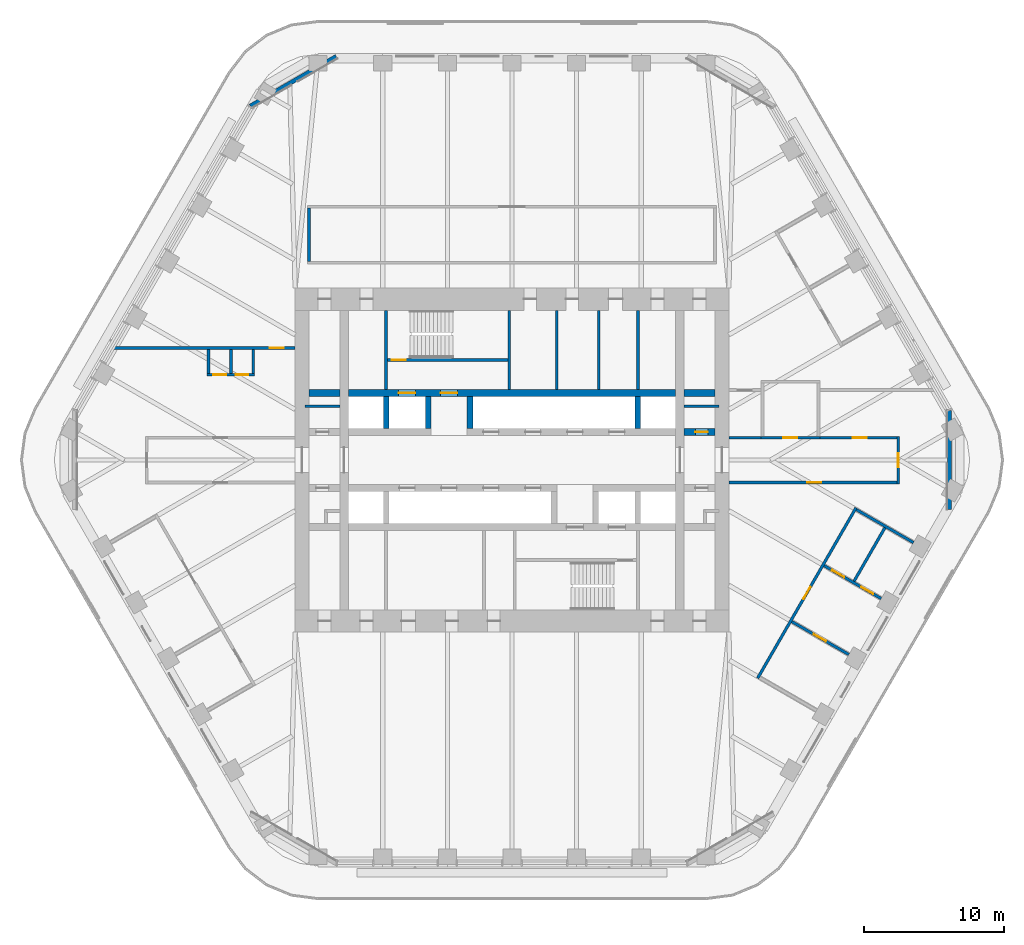
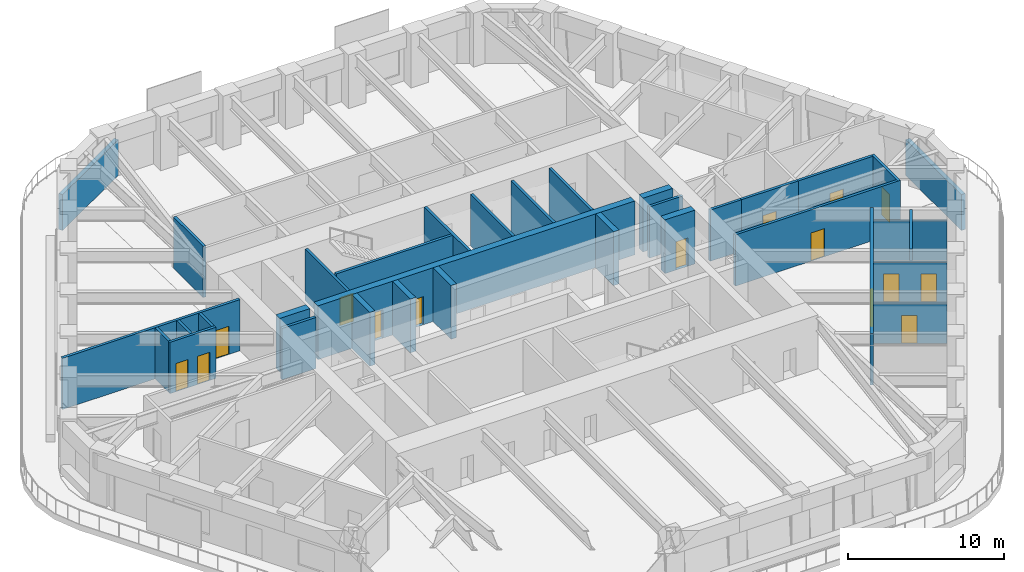
# One storey, part 16 of 20: 34 walls, 15 doors, 15 openings.
"""IFC4 building model written with IfcOpenShell, lengths in metres."""

from ifc_helpers import new_model, si_unit, direction, frame, frame_2d, origin, place, context, subcontext, project, spatial, rectangle, extrude, material, layer, layer_set, type_object, element, fill, save


model = new_model("IFC4")

# Units and contexts
model_context = context("Model", 3, precision=1e-05, world=origin(), true_north=direction((0.0, 1.0)))
body_context = subcontext(model_context, "Body", "Model", "MODEL_VIEW")
ifc_project = project(units=[si_unit("LENGTHUNIT", "METRE"), si_unit("AREAUNIT", "SQUARE_METRE"), si_unit("VOLUMEUNIT", "CUBIC_METRE"), si_unit("PLANEANGLEUNIT", "RADIAN"), si_unit("MASSUNIT", "GRAM", prefix="KILO")], contexts=[model_context])

# Site, building, storey
site_placement = place(None, origin())
site = spatial("IfcSite", under=ifc_project, at=site_placement, CompositionType="ELEMENT")
building_placement = place(site_placement, origin())
building = spatial("IfcBuilding", under=site, at=building_placement, Name="Tarfa Lantern Tower", CompositionType="ELEMENT")
storey_placement = place(building_placement, frame((0.0, 0.0, 253.300048828125)))
storey = spatial("IfcBuildingStorey", under=building, at=storey_placement, Name="L57", CompositionType="ELEMENT", Elevation=253.300048828125)

# Walls
ifc_material_1 = material(Name="Limestone cladding on blockwork", Category="masonry")
ifc_layer_1 = layer(ifc_material_1, 0.300048828125)
ifc_layer_set_1 = layer_set([ifc_layer_1], Name="EW1 STONE-CLAD WALL 300")
wall_type_1 = type_object("IfcWallType", Name="EW1 STONE-CLAD WALL 300", PredefinedType="SOLIDWALL", material=ifc_layer_set_1)
wall_1_placement = place(storey_placement, frame((-12.556396484375, 28.85009765625, 0.0), z_axis=(0.0, 0.0, 1.0), x_axis=(-0.866010973379, -0.500024993363, 0.0)))
element("IfcWall", 1, at=wall_1_placement, inside=storey, type_object=wall_type_1, Name="Garden wall N-NW", PredefinedType="SOLIDWALL", context=body_context, shape_type="SweptSolid", body=[
    extrude(rectangle(XDim=7.101806640625, YDim=0.300048828125, at=frame_2d((3.55078125, 0.0))), origin(), (0.0, 0.0, 1.0), 2.800048828125),
])
wall_2_placement = place(storey_placement, frame((31.262939453125, -3.55078125, 0.0), z_axis=(0.0, 0.0, 1.0), x_axis=(0.0, 1.0, 0.0)))
element("IfcWall", 2, at=wall_2_placement, inside=storey, type_object=wall_type_1, Name="Garden wall SE-NE", PredefinedType="SOLIDWALL", context=body_context, shape_type="SweptSolid", body=[
    extrude(rectangle(XDim=7.1015625, YDim=0.300048828125, at=frame_2d((3.55078125, 0.0))), origin(), (0.0, 0.0, 1.0), 2.800048828125),
])
ifc_material_2 = material(Name="Concrete blockwork", Category="masonry")
ifc_layer_2 = layer(ifc_material_2, 0.199951171875)
ifc_layer_set_2 = layer_set([ifc_layer_2], Name="IW1 BLOCKWORK PARTITION 200 EI 120")
wall_type_2 = type_object("IfcWallType", Name="IW1 BLOCKWORK PARTITION 200 EI 120", PredefinedType="PARTITIONING", material=ifc_layer_set_2)
for number, where, z_axis, x_axis, name in (
    (3, (-9.0, 5.050048828125, 0.0), (0.0, 0.0, 1.0), (0.0, 1.0, 0.0), "Core partition"),
    (4, (9.0, 5.050048828125, 0.0), (0.0, 0.0, 1.0), (0.0, 1.0, 0.0), "Core partition"),
    (5, (3.199951171875, 5.050048828125, 0.0), (0.0, 0.0, 1.0), (0.0, 1.0, 0.0), "Core partition"),
    (6, (6.199951171875, 5.050048828125, 0.0), (0.0, 0.0, 1.0), (0.0, 1.0, 0.0), "Core partition"),
):
    element("IfcWall", number, at=place(storey_placement, frame(where, z_axis=z_axis, x_axis=x_axis)), inside=storey, type_object=wall_type_2, Name=name, PredefinedType="PARTITIONING", context=body_context, shape_type="SweptSolid", body=[
        extrude(rectangle(XDim=5.64990234375, YDim=0.199951171875, at=frame_2d((2.824951171875, 0.0))), origin(), (0.0, 0.0, 1.0), 4.0),
    ])
for number, where, z_axis, x_axis, name in (
    (7, (-14.800048828125, 3.85009765625, 0.0), (0.0, 0.0, 1.0), (1.0, 0.0, 0.0), "Core partition"),
    (8, (12.300048828125, 3.85009765625, 0.0), (0.0, 0.0, 1.0), (1.0, 0.0, 0.0), "Core partition"),
):
    element("IfcWall", number, at=place(storey_placement, frame(where, z_axis=z_axis, x_axis=x_axis)), inside=storey, type_object=wall_type_2, Name=name, PredefinedType="PARTITIONING", context=body_context, shape_type="SweptSolid", body=[
        extrude(rectangle(XDim=2.5, YDim=0.199951171875, at=frame_2d((1.25, 0.0))), origin(), (0.0, 0.0, 1.0), 4.0),
    ])
ifc_material_3 = material(Name="Gypsum board on steel studs", Category="steel")
ifc_layer_3 = layer(ifc_material_3, 0.2099609375)
ifc_layer_set_3 = layer_set([ifc_layer_3], Name="IW2 ACOUSTIC PARTITION 200")
wall_type_3 = type_object("IfcWallType", Name="IW2 ACOUSTIC PARTITION 200", PredefinedType="PARTITIONING", material=ifc_layer_set_3)
wall_3_placement = place(storey_placement, frame((-14.5, 14.199951171875, 0.0), z_axis=(0.0, 0.0, 1.0), x_axis=(0.0, 1.0, 0.0)))
element("IfcWall", 9, at=wall_3_placement, inside=storey, type_object=wall_type_3, Name="Partition", PredefinedType="PARTITIONING", context=body_context, shape_type="SweptSolid", body=[
    extrude(rectangle(XDim=3.800048828125, YDim=0.199951171875, at=frame_2d((1.89990234375, 0.0))), origin(), (0.0, 0.0, 1.0), 4.0),
])

# Wall, opening, door
wall_4_placement = place(storey_placement, frame((17.55908203125, -15.586669921875, 0.0), z_axis=(0.0, 0.0, 1.0), x_axis=(0.500002095642, 0.866024193862, 0.0)))
wall_4 = element("IfcWall", 10, at=wall_4_placement, inside=storey, type_object=wall_type_3, Name="Partition", PredefinedType="PARTITIONING", context=body_context, shape_type="SweptSolid", body=[
    extrude(rectangle(XDim=14.056640625, YDim=0.199951171875, at=frame_2d((7.0283203125, 0.0))), origin(), (0.0, 0.0, 1.0), 4.0),
])
opening_1_placement = place(wall_4_placement, frame((6.5283203125, 0.0, 0.0)))
opening_1 = element("IfcOpeningElement", 11, at=opening_1_placement, cuts=wall_4, Name="Opening D31", PredefinedType="OPENING", context=body_context, shape_type="SweptSolid", body=[
    extrude(rectangle(XDim=1.0, YDim=2.199951171875, at=frame_2d((0.5, 1.10009765625))), frame((0.0, 0.10986328125, 0.0), z_axis=(0.0, -1.0, 0.0), x_axis=(1.0, 0.0, 0.0)), (0.0, 0.0, 1.0), 0.219970703125),
])
ifc_material_4 = material(Name="Timber door", Category="wood")
door_type_1 = type_object("IfcDoorType", Name="DR1 ROOM DOOR 1000x2200", OperationType="SINGLE_SWING_LEFT", PredefinedType="DOOR", material=ifc_material_4)
door_1_placement = place(opening_1_placement, frame((1.0, 0.0, 0.0), z_axis=(0.0, 0.0, 1.0), x_axis=(-1.0, 0.0, 0.0)))
door_1 = element("IfcDoor", 12, at=door_1_placement, inside=storey, type_object=door_type_1, Name="Secretariat reception door", OperationType="SINGLE_SWING_RIGHT", OverallHeight=2.199951171875, OverallWidth=1.0, PredefinedType="DOOR", context=body_context, shape_type="SweptSolid", body=[
    extrude(rectangle(XDim=1.0, YDim=2.199951171875, at=frame_2d((0.5, 1.10009765625))), frame((0.0, 0.02490234375, 0.0), z_axis=(0.0, -1.0, 0.0), x_axis=(1.0, 0.0, 0.0)), (0.0, 0.0, 1.0), 0.050048828125),
])
fill(opening_1, door_1)

wall_5_placement = place(storey_placement, frame((20.005126953125, -11.550048828125, 0.0), z_axis=(0.0, 0.0, 1.0), x_axis=(0.866038532462, -0.499977259774, 0.0)))
wall_5 = element("IfcWall", 13, at=wall_5_placement, inside=storey, type_object=wall_type_3, Name="Partition", PredefinedType="PARTITIONING", context=body_context, shape_type="SweptSolid", body=[
    extrude(rectangle(XDim=4.699951171875, YDim=0.199951171875, at=frame_2d((2.35009765625, 0.0))), origin(), (0.0, 0.0, 1.0), 3.08154296875),
])
opening_2_placement = place(wall_5_placement, frame((1.800048828125, 0.0, 0.0)))
opening_2 = element("IfcOpeningElement", 14, at=opening_2_placement, cuts=wall_5, Name="Opening D30", PredefinedType="OPENING", context=body_context, shape_type="SweptSolid", body=[
    extrude(rectangle(XDim=1.0, YDim=2.199951171875, at=frame_2d((0.5, 1.10009765625))), frame((0.0, 0.10986328125, 0.0), z_axis=(0.0, -1.0, 0.0), x_axis=(1.0, 0.0, 0.0)), (0.0, 0.0, 1.0), 0.219970703125),
])
door_2_placement = place(opening_2_placement, origin())
door_2 = element("IfcDoor", 15, at=door_2_placement, inside=storey, type_object=door_type_1, Name="Company secretary's office door", OperationType="SINGLE_SWING_RIGHT", OverallHeight=2.199951171875, OverallWidth=1.0, PredefinedType="DOOR", context=body_context, shape_type="SweptSolid", body=[
    extrude(rectangle(XDim=1.0, YDim=2.199951171875, at=frame_2d((0.5, 1.10009765625))), frame((0.0, 0.02490234375, 0.0), z_axis=(0.0, -1.0, 0.0), x_axis=(1.0, 0.0, 0.0)), (0.0, 0.0, 1.0), 0.050048828125),
])
fill(opening_2, door_2)

# Wall, openings, doors
wall_6_placement = place(storey_placement, frame((22.314697265625, -7.550048828125, 0.0), z_axis=(0.0, 0.0, 1.0), x_axis=(0.866038532462, -0.499977259774, 0.0)))
wall_6 = element("IfcWall", 16, at=wall_6_placement, inside=storey, type_object=wall_type_3, Name="Partition", PredefinedType="PARTITIONING", context=body_context, shape_type="SweptSolid", body=[
    extrude(rectangle(XDim=4.699951171875, YDim=0.199951171875, at=frame_2d((2.35009765625, 0.0))), origin(), (0.0, 0.0, 1.0), 3.08154296875),
])
opening_3_placement = place(wall_6_placement, frame((0.64990234375, 0.0, 0.0)))
opening_3 = element("IfcOpeningElement", 17, at=opening_3_placement, cuts=wall_6, Name="Opening D32", PredefinedType="OPENING", context=body_context, shape_type="SweptSolid", body=[
    extrude(rectangle(XDim=1.0, YDim=2.199951171875, at=frame_2d((0.5, 1.10009765625))), frame((0.0, 0.10986328125, 0.0), z_axis=(0.0, -1.0, 0.0), x_axis=(1.0, 0.0, 0.0)), (0.0, 0.0, 1.0), 0.219970703125),
])
opening_4_placement = place(wall_6_placement, frame((3.050048828125, 0.0, 0.0)))
opening_4 = element("IfcOpeningElement", 18, at=opening_4_placement, cuts=wall_6, Name="Opening D33", PredefinedType="OPENING", context=body_context, shape_type="SweptSolid", body=[
    extrude(rectangle(XDim=1.0, YDim=2.199951171875, at=frame_2d((0.5, 1.10009765625))), frame((0.0, 0.10986328125, 0.0), z_axis=(0.0, -1.0, 0.0), x_axis=(1.0, 0.0, 0.0)), (0.0, 0.0, 1.0), 0.219970703125),
])
door_3_placement = place(opening_3_placement, origin())
door_3 = element("IfcDoor", 19, at=door_3_placement, inside=storey, type_object=door_type_1, Name="Meeting room door", OperationType="SINGLE_SWING_RIGHT", OverallHeight=2.199951171875, OverallWidth=1.0, PredefinedType="DOOR", context=body_context, shape_type="SweptSolid", body=[
    extrude(rectangle(XDim=1.0, YDim=2.199951171875, at=frame_2d((0.5, 1.10009765625))), frame((0.0, 0.02490234375, 0.0), z_axis=(0.0, -1.0, 0.0), x_axis=(1.0, 0.0, 0.0)), (0.0, 0.0, 1.0), 0.050048828125),
])
fill(opening_3, door_3)
door_4_placement = place(opening_4_placement, origin())
door_4 = element("IfcDoor", 20, at=door_4_placement, inside=storey, type_object=door_type_1, Name="File room door", OperationType="SINGLE_SWING_RIGHT", OverallHeight=2.199951171875, OverallWidth=1.0, PredefinedType="DOOR", context=body_context, shape_type="SweptSolid", body=[
    extrude(rectangle(XDim=1.0, YDim=2.199951171875, at=frame_2d((0.5, 1.10009765625))), frame((0.0, 0.02490234375, 0.0), z_axis=(0.0, -1.0, 0.0), x_axis=(1.0, 0.0, 0.0)), (0.0, 0.0, 1.0), 0.050048828125),
])
fill(opening_4, door_4)

# Walls
wall_7_placement = place(storey_placement, frame((24.6240234375, -3.550048828125, 0.0), z_axis=(0.0, 0.0, 1.0), x_axis=(0.866038532462, -0.499977259774, 0.0)))
element("IfcWall", 21, at=wall_7_placement, inside=storey, type_object=wall_type_3, Name="Partition", PredefinedType="PARTITIONING", context=body_context, shape_type="SweptSolid", body=[
    extrude(rectangle(XDim=4.699951171875, YDim=0.199951171875, at=frame_2d((2.35009765625, 0.0))), origin(), (0.0, 0.0, 1.0), 3.08154296875),
])
wall_8_placement = place(storey_placement, frame((24.443115234375, -8.663330078125, 0.0), z_axis=(0.0, 0.0, 1.0), x_axis=(0.499983916363, 0.866034689477, 0.0)))
element("IfcWall", 22, at=wall_8_placement, inside=storey, type_object=wall_type_3, Name="Partition", PredefinedType="PARTITIONING", context=body_context, shape_type="SweptSolid", body=[
    extrude(rectangle(XDim=4.418701171875, YDim=0.199951171875, at=frame_2d((2.20947265625, 0.0))), origin(), (0.0, 0.0, 1.0), 4.0),
])

# Wall, opening, door
wall_9_placement = place(storey_placement, frame((17.800048828125, 1.60009765625, 0.0), z_axis=(0.0, 0.0, 1.0), x_axis=(1.0, 0.0, 0.0)))
wall_9 = element("IfcWall", 23, at=wall_9_placement, inside=storey, type_object=wall_type_3, Name="Partition", PredefinedType="PARTITIONING", context=body_context, shape_type="SweptSolid", body=[
    extrude(rectangle(XDim=4.199951171875, YDim=0.199951171875, at=frame_2d((2.10009765625, 0.0))), origin(), (0.0, 0.0, 1.0), 4.0),
])
opening_5_placement = place(wall_9_placement, frame((1.60009765625, 0.0, 0.0)))
opening_5 = element("IfcOpeningElement", 24, at=opening_5_placement, cuts=wall_9, Name="Opening D27", PredefinedType="OPENING", context=body_context, shape_type="SweptSolid", body=[
    extrude(rectangle(XDim=1.0, YDim=2.199951171875, at=frame_2d((0.5, 1.10009765625))), frame((0.0, 0.10986328125, 0.0), z_axis=(0.0, -1.0, 0.0), x_axis=(1.0, 0.0, 0.0)), (0.0, 0.0, 1.0), 0.219970703125),
])
door_5_placement = place(opening_5_placement, origin())
door_5 = element("IfcDoor", 25, at=door_5_placement, inside=storey, type_object=door_type_1, Name="Pantry door", OperationType="SINGLE_SWING_LEFT", OverallHeight=2.199951171875, OverallWidth=1.0, PredefinedType="DOOR", context=body_context, shape_type="SweptSolid", body=[
    extrude(rectangle(XDim=1.0, YDim=2.199951171875, at=frame_2d((0.5, 1.10009765625))), frame((0.0, 0.02490234375, 0.0), z_axis=(0.0, -1.0, 0.0), x_axis=(1.0, 0.0, 0.0)), (0.0, 0.0, 1.0), 0.050048828125),
])
fill(opening_5, door_5)

# Wall
wall_10_placement = place(storey_placement, frame((15.5, 1.60009765625, 0.0), z_axis=(0.0, 0.0, 1.0), x_axis=(1.0, 0.0, 0.0)))
element("IfcWall", 26, at=wall_10_placement, inside=storey, type_object=wall_type_3, Name="Partition", PredefinedType="PARTITIONING", context=body_context, shape_type="SweptSolid", body=[
    extrude(rectangle(XDim=2.300048828125, YDim=0.199951171875, at=frame_2d((1.14990234375, 0.0))), origin(), (0.0, 0.0, 1.0), 4.0),
])

# Wall, opening, door
wall_11_placement = place(storey_placement, frame((22.0, 1.60009765625, 0.0), z_axis=(0.0, 0.0, 1.0), x_axis=(1.0, 0.0, 0.0)))
wall_11 = element("IfcWall", 27, at=wall_11_placement, inside=storey, type_object=wall_type_3, Name="Partition", PredefinedType="PARTITIONING", context=body_context, shape_type="SweptSolid", body=[
    extrude(rectangle(XDim=5.699951171875, YDim=0.199951171875, at=frame_2d((2.85009765625, 0.0))), origin(), (0.0, 0.0, 1.0), 4.0),
])
opening_6_placement = place(wall_11_placement, frame((2.35009765625, 0.0, 0.0)))
opening_6 = element("IfcOpeningElement", 28, at=opening_6_placement, cuts=wall_11, Name="Opening D40", PredefinedType="OPENING", context=body_context, shape_type="SweptSolid", body=[
    extrude(rectangle(XDim=1.0, YDim=2.199951171875, at=frame_2d((0.5, 1.10009765625))), frame((0.0, 0.10986328125, 0.0), z_axis=(0.0, -1.0, 0.0), x_axis=(1.0, 0.0, 0.0)), (0.0, 0.0, 1.0), 0.219970703125),
])
door_6_placement = place(opening_6_placement, origin())
door_6 = element("IfcDoor", 29, at=door_6_placement, inside=storey, type_object=door_type_1, Name="Corridor door", OperationType="SINGLE_SWING_RIGHT", OverallHeight=2.199951171875, OverallWidth=1.0, PredefinedType="DOOR", context=body_context, shape_type="SweptSolid", body=[
    extrude(rectangle(XDim=1.0, YDim=2.199951171875, at=frame_2d((0.5, 1.10009765625))), frame((0.0, 0.02490234375, 0.0), z_axis=(0.0, -1.0, 0.0), x_axis=(1.0, 0.0, 0.0)), (0.0, 0.0, 1.0), 0.050048828125),
])
fill(opening_6, door_6)

wall_12_placement = place(storey_placement, frame((15.5, -1.60009765625, 0.0), z_axis=(0.0, 0.0, 1.0), x_axis=(1.0, 0.0, 0.0)))
wall_12 = element("IfcWall", 30, at=wall_12_placement, inside=storey, type_object=wall_type_3, Name="Partition", PredefinedType="PARTITIONING", context=body_context, shape_type="SweptSolid", body=[
    extrude(rectangle(XDim=12.199951171875, YDim=0.199951171875, at=frame_2d((6.10009765625, 0.0))), origin(), (0.0, 0.0, 1.0), 4.0),
])
opening_7_placement = place(wall_12_placement, frame((5.60009765625, 0.0, 0.0)))
opening_7 = element("IfcOpeningElement", 31, at=opening_7_placement, cuts=wall_12, Name="Opening D41", PredefinedType="OPENING", context=body_context, shape_type="SweptSolid", body=[
    extrude(rectangle(XDim=1.0, YDim=2.199951171875, at=frame_2d((0.5, 1.10009765625))), frame((0.0, 0.10986328125, 0.0), z_axis=(0.0, -1.0, 0.0), x_axis=(1.0, 0.0, 0.0)), (0.0, 0.0, 1.0), 0.219970703125),
])
door_7_placement = place(opening_7_placement, frame((1.0, 0.0, 0.0), z_axis=(0.0, 0.0, 1.0), x_axis=(-1.0, 0.0, 0.0)))
door_7 = element("IfcDoor", 32, at=door_7_placement, inside=storey, type_object=door_type_1, Name="Corridor door", OperationType="SINGLE_SWING_LEFT", OverallHeight=2.199951171875, OverallWidth=1.0, PredefinedType="DOOR", context=body_context, shape_type="SweptSolid", body=[
    extrude(rectangle(XDim=1.0, YDim=2.199951171875, at=frame_2d((0.5, 1.10009765625))), frame((0.0, 0.02490234375, 0.0), z_axis=(0.0, -1.0, 0.0), x_axis=(1.0, 0.0, 0.0)), (0.0, 0.0, 1.0), 0.050048828125),
])
fill(opening_7, door_7)

wall_13_placement = place(storey_placement, frame((27.60009765625, -1.699951171875, 0.0), z_axis=(0.0, 0.0, 1.0), x_axis=(0.0, 1.0, 0.0)))
wall_13 = element("IfcWall", 33, at=wall_13_placement, inside=storey, type_object=wall_type_3, Name="Partition", PredefinedType="PARTITIONING", context=body_context, shape_type="SweptSolid", body=[
    extrude(rectangle(XDim=3.39990234375, YDim=0.199951171875, at=frame_2d((1.699951171875, 0.0))), origin(), (0.0, 0.0, 1.0), 4.0),
])
opening_8_placement = place(wall_13_placement, frame((1.199951171875, 0.0, 0.0)))
opening_8 = element("IfcOpeningElement", 34, at=opening_8_placement, cuts=wall_13, Name="Opening D39", PredefinedType="OPENING", context=body_context, shape_type="SweptSolid", body=[
    extrude(rectangle(XDim=1.0, YDim=2.199951171875, at=frame_2d((0.5, 1.10009765625))), frame((0.0, 0.10986328125, 0.0), z_axis=(0.0, -1.0, 0.0), x_axis=(1.0, 0.0, 0.0)), (0.0, 0.0, 1.0), 0.219970703125),
])
door_8_placement = place(opening_8_placement, frame((1.0, 0.0, 0.0), z_axis=(0.0, 0.0, 1.0), x_axis=(-1.0, 0.0, 0.0)))
door_8 = element("IfcDoor", 35, at=door_8_placement, inside=storey, type_object=door_type_1, Name="Corridor door", OperationType="SINGLE_SWING_LEFT", OverallHeight=2.199951171875, OverallWidth=1.0, PredefinedType="DOOR", context=body_context, shape_type="SweptSolid", body=[
    extrude(rectangle(XDim=1.0, YDim=2.199951171875, at=frame_2d((0.5, 1.10009765625))), frame((0.0, 0.02490234375, 0.0), z_axis=(0.0, -1.0, 0.0), x_axis=(1.0, 0.0, 0.0)), (0.0, 0.0, 1.0), 0.050048828125),
])
fill(opening_8, door_8)

wall_14_placement = place(storey_placement, frame((-15.5, 8.0, 0.0), z_axis=(0.0, 0.0, 1.0), x_axis=(-1.0, 0.0, 0.0)))
wall_14 = element("IfcWall", 36, at=wall_14_placement, inside=storey, type_object=wall_type_3, Name="Partition", PredefinedType="PARTITIONING", context=body_context, shape_type="SweptSolid", body=[
    extrude(rectangle(XDim=13.11328125, YDim=0.199951171875, at=frame_2d((6.556640625, 0.0))), origin(), (0.0, 0.0, 1.0), 4.0),
])
opening_9_placement = place(wall_14_placement, frame((0.811279296875, 0.0, 0.0)))
opening_9 = element("IfcOpeningElement", 37, at=opening_9_placement, cuts=wall_14, Name="Opening D46", PredefinedType="OPENING", context=body_context, shape_type="SweptSolid", body=[
    extrude(rectangle(XDim=1.0, YDim=2.199951171875, at=frame_2d((0.5, 1.10009765625))), frame((0.0, 0.10986328125, 0.0), z_axis=(0.0, -1.0, 0.0), x_axis=(1.0, 0.0, 0.0)), (0.0, 0.0, 1.0), 0.219970703125),
])
door_9_placement = place(opening_9_placement, frame((1.0, 0.0, 0.0), z_axis=(0.0, 0.0, 1.0), x_axis=(-1.0, 0.0, 0.0)))
door_9 = element("IfcDoor", 38, at=door_9_placement, inside=storey, type_object=door_type_1, Name="Zone door", OperationType="SINGLE_SWING_LEFT", OverallHeight=2.199951171875, OverallWidth=1.0, PredefinedType="DOOR", context=body_context, shape_type="SweptSolid", body=[
    extrude(rectangle(XDim=1.0, YDim=2.199951171875, at=frame_2d((0.5, 1.10009765625))), frame((0.0, 0.02490234375, 0.0), z_axis=(0.0, -1.0, 0.0), x_axis=(1.0, 0.0, 0.0)), (0.0, 0.0, 1.0), 0.050048828125),
])
fill(opening_9, door_9)

# Wall, openings, doors
wall_15_placement = place(storey_placement, frame((-18.3896484375, 6.10009765625, 0.0), z_axis=(0.0, 0.0, 1.0), x_axis=(-1.0, 0.0, 0.0)))
wall_15 = element("IfcWall", 39, at=wall_15_placement, inside=storey, type_object=wall_type_3, Name="Partition", PredefinedType="PARTITIONING", context=body_context, shape_type="SweptSolid", body=[
    extrude(rectangle(XDim=3.400146484375, YDim=0.199951171875, at=frame_2d((1.7001953125, 0.0))), origin(), (0.0, 0.0, 1.0), 4.0),
])
opening_10_placement = place(wall_15_placement, frame((0.449951171875, 0.0, 0.0)))
opening_10 = element("IfcOpeningElement", 40, at=opening_10_placement, cuts=wall_15, Name="Opening D37", PredefinedType="OPENING", context=body_context, shape_type="SweptSolid", body=[
    extrude(rectangle(XDim=0.89990234375, YDim=2.199951171875, at=frame_2d((0.449951171875, 1.10009765625))), frame((0.0, 0.10986328125, 0.0), z_axis=(0.0, -1.0, 0.0), x_axis=(1.0, 0.0, 0.0)), (0.0, 0.0, 1.0), 0.219970703125),
])
opening_11_placement = place(wall_15_placement, frame((2.050048828125, 0.0, 0.0)))
opening_11 = element("IfcOpeningElement", 41, at=opening_11_placement, cuts=wall_15, Name="Opening D38", PredefinedType="OPENING", context=body_context, shape_type="SweptSolid", body=[
    extrude(rectangle(XDim=0.89990234375, YDim=2.199951171875, at=frame_2d((0.449951171875, 1.10009765625))), frame((0.0, 0.10986328125, 0.0), z_axis=(0.0, -1.0, 0.0), x_axis=(1.0, 0.0, 0.0)), (0.0, 0.0, 1.0), 0.219970703125),
])
door_type_2 = type_object("IfcDoorType", Name="DR3 ROOM DOOR 900x2200", OperationType="SINGLE_SWING_LEFT", PredefinedType="DOOR", material=ifc_material_4)
door_10_placement = place(opening_10_placement, frame((0.89990234375, 0.0, 0.0), z_axis=(0.0, 0.0, 1.0), x_axis=(-1.0, 0.0, 0.0)))
door_10 = element("IfcDoor", 42, at=door_10_placement, inside=storey, type_object=door_type_2, Name="Phone booth door", OperationType="SINGLE_SWING_LEFT", OverallHeight=2.199951171875, OverallWidth=0.89990234375, PredefinedType="DOOR", context=body_context, shape_type="SweptSolid", body=[
    extrude(rectangle(XDim=0.89990234375, YDim=2.199951171875, at=frame_2d((0.449951171875, 1.10009765625))), frame((0.0, 0.02490234375, 0.0), z_axis=(0.0, -1.0, 0.0), x_axis=(1.0, 0.0, 0.0)), (0.0, 0.0, 1.0), 0.050048828125),
])
fill(opening_10, door_10)
door_11_placement = place(opening_11_placement, frame((0.89990234375, 0.0, 0.0), z_axis=(0.0, 0.0, 1.0), x_axis=(-1.0, 0.0, 0.0)))
door_11 = element("IfcDoor", 43, at=door_11_placement, inside=storey, type_object=door_type_2, Name="Phone booth door", OperationType="SINGLE_SWING_RIGHT", OverallHeight=2.199951171875, OverallWidth=0.89990234375, PredefinedType="DOOR", context=body_context, shape_type="SweptSolid", body=[
    extrude(rectangle(XDim=0.89990234375, YDim=2.199951171875, at=frame_2d((0.449951171875, 1.10009765625))), frame((0.0, 0.02490234375, 0.0), z_axis=(0.0, -1.0, 0.0), x_axis=(1.0, 0.0, 0.0)), (0.0, 0.0, 1.0), 0.050048828125),
])
fill(opening_11, door_11)

# Walls
for number, where, z_axis, x_axis, name in (
    (44, (-18.48974609375, 7.89990234375, 0.0), (0.0, 0.0, 1.0), (0.0, -1.0, 0.0), "Partition"),
    (45, (-20.089599609375, 7.89990234375, 0.0), (0.0, 0.0, 1.0), (0.0, -1.0, 0.0), "Partition"),
    (46, (-21.689697265625, 7.89990234375, 0.0), (0.0, 0.0, 1.0), (0.0, -1.0, 0.0), "Partition"),
):
    element("IfcWall", number, at=place(storey_placement, frame(where, z_axis=z_axis, x_axis=x_axis)), inside=storey, type_object=wall_type_3, Name=name, PredefinedType="PARTITIONING", context=body_context, shape_type="SweptSolid", body=[
        extrude(rectangle(XDim=1.699951171875, YDim=0.199951171875, at=frame_2d((0.85009765625, 0.0))), origin(), (0.0, 0.0, 1.0), 4.0),
    ])
ifc_material_5 = material(Name="Concrete C80/95", Category="concrete")
ifc_layer_4 = layer(ifc_material_5, 0.199951171875)
ifc_layer_set_4 = layer_set([ifc_layer_4], Name="SW12 CORE WALL 200")
wall_type_4 = type_object("IfcWallType", Name="SW12 CORE WALL 200", PredefinedType="SHEAR", material=ifc_layer_set_4)
wall_16_placement = place(storey_placement, frame((-0.199951171875, 5.050048828125, 0.0), z_axis=(0.0, 0.0, 1.0), x_axis=(0.0, 1.0, 0.0)))
element("IfcWall", 47, at=wall_16_placement, inside=storey, type_object=wall_type_4, Name="Core wall stair shaft N", PredefinedType="SHEAR", context=body_context, shape_type="SweptSolid", body=[
    extrude(rectangle(XDim=5.64990234375, YDim=0.199951171875, at=frame_2d((2.824951171875, 0.0))), origin(), (0.0, 0.0, 1.0), 4.199951171875),
])

# Wall, opening, door
wall_17_placement = place(storey_placement, frame((-8.89990234375, 7.14990234375, 0.0), z_axis=(0.0, 0.0, 1.0), x_axis=(1.0, 0.0, 0.0)))
wall_17 = element("IfcWall", 48, at=wall_17_placement, inside=storey, type_object=wall_type_4, Name="Core wall stair partition N", PredefinedType="SHEAR", context=body_context, shape_type="SweptSolid", body=[
    extrude(rectangle(XDim=8.599853515625, YDim=0.199951171875, at=frame_2d((4.2998046875, 0.0))), origin(), (0.0, 0.0, 1.0), 4.199951171875),
])
opening_12_placement = place(wall_17_placement, frame((0.300048828125, 0.0, 0.0)))
opening_12 = element("IfcOpeningElement", 49, at=opening_12_placement, cuts=wall_17, Name="Opening D23", PredefinedType="OPENING", context=body_context, shape_type="SweptSolid", body=[
    extrude(rectangle(XDim=1.0, YDim=2.199951171875, at=frame_2d((0.5, 1.10009765625))), frame((0.0, 0.10986328125, 0.0), z_axis=(0.0, -1.0, 0.0), x_axis=(1.0, 0.0, 0.0)), (0.0, 0.0, 1.0), 0.219970703125),
])
ifc_material_6 = material(Name="Steel fire door", Category="steel")
door_type_3 = type_object("IfcDoorType", Name="DF2 STAIR DOOR 1000x2200", OperationType="SINGLE_SWING_LEFT", PredefinedType="DOOR", material=ifc_material_6)
door_12_placement = place(opening_12_placement, origin())
door_12 = element("IfcDoor", 50, at=door_12_placement, inside=storey, type_object=door_type_3, Name="Stair door", OperationType="SINGLE_SWING_RIGHT", OverallHeight=2.199951171875, OverallWidth=1.0, PredefinedType="DOOR", context=body_context, shape_type="SweptSolid", body=[
    extrude(rectangle(XDim=1.0, YDim=2.199951171875, at=frame_2d((0.5, 1.10009765625))), frame((0.0, 0.02490234375, 0.0), z_axis=(0.0, -1.0, 0.0), x_axis=(1.0, 0.0, 0.0)), (0.0, 0.0, 1.0), 0.050048828125),
])
fill(opening_12, door_12)

ifc_layer_5 = layer(ifc_material_5, 0.5)
ifc_layer_set_5 = layer_set([ifc_layer_5], Name="SW5 CORE WALL 500")
wall_type_5 = type_object("IfcWallType", Name="SW5 CORE WALL 500", PredefinedType="SHEAR", material=ifc_layer_set_5)
wall_18_placement = place(storey_placement, frame((12.300048828125, 2.0, 0.0), z_axis=(0.0, 0.0, 1.0), x_axis=(1.0, 0.0, 0.0)))
wall_18 = element("IfcWall", 51, at=wall_18_placement, inside=storey, type_object=wall_type_5, Name="Core wall lobby east N", PredefinedType="SHEAR", context=body_context, shape_type="SweptSolid", body=[
    extrude(rectangle(XDim=2.199951171875, YDim=0.5, at=frame_2d((1.10009765625, 0.0))), origin(), (0.0, 0.0, 1.0), 4.199951171875),
])
opening_13_placement = place(wall_18_placement, frame((0.800048828125, 0.0, 0.0)))
opening_13 = element("IfcOpeningElement", 52, at=opening_13_placement, cuts=wall_18, Name="Opening D13", PredefinedType="OPENING", context=body_context, shape_type="SweptSolid", body=[
    extrude(rectangle(XDim=0.89990234375, YDim=2.199951171875, at=frame_2d((0.449951171875, 1.10009765625))), frame((0.0, 0.260009765625, 0.0), z_axis=(0.0, -1.0, 0.0), x_axis=(1.0, 0.0, 0.0)), (0.0, 0.0, 1.0), 0.52001953125),
])
door_type_4 = type_object("IfcDoorType", Name="DF6 SERVICE ROOM DOOR 900x2200", OperationType="SINGLE_SWING_LEFT", PredefinedType="DOOR", material=ifc_material_6)
door_13_placement = place(opening_13_placement, origin())
door_13 = element("IfcDoor", 53, at=door_13_placement, inside=storey, type_object=door_type_4, Name="Service room door", OperationType="SINGLE_SWING_LEFT", OverallHeight=2.199951171875, OverallWidth=0.89990234375, PredefinedType="DOOR", context=body_context, shape_type="SweptSolid", body=[
    extrude(rectangle(XDim=0.89990234375, YDim=2.199951171875, at=frame_2d((0.449951171875, 1.10009765625))), frame((0.0, 0.02490234375, 0.0), z_axis=(0.0, -1.0, 0.0), x_axis=(1.0, 0.0, 0.0)), (0.0, 0.0, 1.0), 0.050048828125),
])
fill(opening_13, door_13)

# Wall
wall_19_placement = place(storey_placement, frame((-14.5, 4.800048828125, 0.0), z_axis=(0.0, 0.0, 1.0), x_axis=(1.0, 0.0, 0.0)))
element("IfcWall", 54, at=wall_19_placement, inside=storey, type_object=wall_type_5, Name="Core wall rear N", PredefinedType="SHEAR", context=body_context, shape_type="SweptSolid", body=[
    extrude(rectangle(XDim=2.199951171875, YDim=0.5, at=frame_2d((1.10009765625, 0.0))), origin(), (0.0, 0.0, 1.0), 4.199951171875),
])

# Wall, openings, doors
wall_20_placement = place(storey_placement, frame((-11.699951171875, 4.800048828125, 0.0), z_axis=(0.0, 0.0, 1.0), x_axis=(1.0, 0.0, 0.0)))
wall_20 = element("IfcWall", 55, at=wall_20_placement, inside=storey, type_object=wall_type_5, Name="Core wall rear N", PredefinedType="SHEAR", context=body_context, shape_type="SweptSolid", body=[
    extrude(rectangle(XDim=23.39990234375, YDim=0.5, at=frame_2d((11.699951171875, 0.0))), origin(), (0.0, 0.0, 1.0), 4.199951171875),
])
opening_14_placement = place(wall_20_placement, frame((6.60009765625, 0.0, 0.0)))
opening_14 = element("IfcOpeningElement", 56, at=opening_14_placement, cuts=wall_20, Name="Opening D09", PredefinedType="OPENING", context=body_context, shape_type="SweptSolid", body=[
    extrude(rectangle(XDim=1.199951171875, YDim=2.199951171875, at=frame_2d((0.60009765625, 1.10009765625))), frame((0.0, 0.260009765625, 0.0), z_axis=(0.0, -1.0, 0.0), x_axis=(1.0, 0.0, 0.0)), (0.0, 0.0, 1.0), 0.52001953125),
])
opening_15_placement = place(wall_20_placement, frame((3.60009765625, 0.0, 0.0)))
opening_15 = element("IfcOpeningElement", 57, at=opening_15_placement, cuts=wall_20, Name="Opening LD01", PredefinedType="OPENING", context=body_context, shape_type="SweptSolid", body=[
    extrude(rectangle(XDim=1.199951171875, YDim=2.199951171875, at=frame_2d((0.60009765625, 1.10009765625))), frame((0.0, 0.260009765625, 0.0), z_axis=(0.0, -1.0, 0.0), x_axis=(1.0, 0.0, 0.0)), (0.0, 0.0, 1.0), 0.52001953125),
])
door_type_5 = type_object("IfcDoorType", Name="DF1 FIREFIGHTING LOBBY DOOR 1200x2200", OperationType="SINGLE_SWING_LEFT", PredefinedType="DOOR", material=ifc_material_6)
door_14_placement = place(opening_14_placement, origin())
door_14 = element("IfcDoor", 58, at=door_14_placement, inside=storey, type_object=door_type_5, Name="Firefighting lobby door", OperationType="SINGLE_SWING_LEFT", OverallHeight=2.199951171875, OverallWidth=1.199951171875, PredefinedType="DOOR", context=body_context, shape_type="SweptSolid", body=[
    extrude(rectangle(XDim=1.199951171875, YDim=2.199951171875, at=frame_2d((0.60009765625, 1.10009765625))), frame((0.0, 0.02490234375, 0.0), z_axis=(0.0, -1.0, 0.0), x_axis=(1.0, 0.0, 0.0)), (0.0, 0.0, 1.0), 0.050048828125),
])
fill(opening_14, door_14)
ifc_material_7 = material(Name="Stainless steel lift door", Category="steel")
door_type_6 = type_object("IfcDoorType", Name="LD1 LIFT LANDING DOOR 1200x2200", OperationType="SLIDING_TO_LEFT", PredefinedType="DOOR", material=ifc_material_7)
door_15_placement = place(opening_15_placement, origin())
door_15 = element("IfcDoor", 59, at=door_15_placement, inside=storey, type_object=door_type_6, Name="Landing door FL1", OperationType="SLIDING_TO_LEFT", OverallHeight=2.199951171875, OverallWidth=1.199951171875, PredefinedType="DOOR", context=body_context, shape_type="SweptSolid", body=[
    extrude(rectangle(XDim=1.199951171875, YDim=2.199951171875, at=frame_2d((0.60009765625, 1.10009765625))), frame((0.0, 0.02490234375, 0.0), z_axis=(0.0, -1.0, 0.0), x_axis=(1.0, 0.0, 0.0)), (0.0, 0.0, 1.0), 0.050048828125),
])
fill(opening_15, door_15)

# Walls
wall_21_placement = place(storey_placement, frame((12.300048828125, 4.800048828125, 0.0), z_axis=(0.0, 0.0, 1.0), x_axis=(1.0, 0.0, 0.0)))
element("IfcWall", 60, at=wall_21_placement, inside=storey, type_object=wall_type_5, Name="Core wall rear N", PredefinedType="SHEAR", context=body_context, shape_type="SweptSolid", body=[
    extrude(rectangle(XDim=2.199951171875, YDim=0.5, at=frame_2d((1.10009765625, 0.0))), origin(), (0.0, 0.0, 1.0), 4.199951171875),
])
ifc_layer_6 = layer(ifc_material_5, 0.39990234375)
ifc_layer_set_6 = layer_set([ifc_layer_6], Name="SW6 CORE WALL 400")
wall_type_6 = type_object("IfcWallType", Name="SW6 CORE WALL 400", PredefinedType="SHEAR", material=ifc_layer_set_6)
for number, where, z_axis, x_axis, name in (
    (61, (-9.0, 2.25, 0.0), (0.0, 0.0, 1.0), (0.0, 1.0, 0.0), "Core wall divider N"),
    (62, (-6.0, 2.25, 0.0), (0.0, 0.0, 1.0), (0.0, 1.0, 0.0), "Core wall divider N"),
    (63, (-3.0, 2.25, 0.0), (0.0, 0.0, 1.0), (0.0, 1.0, 0.0), "Core wall divider N"),
    (64, (9.0, 2.25, 0.0), (0.0, 0.0, 1.0), (0.0, 1.0, 0.0), "Core wall divider N"),
):
    element("IfcWall", number, at=place(storey_placement, frame(where, z_axis=z_axis, x_axis=x_axis)), inside=storey, type_object=wall_type_6, Name=name, PredefinedType="SHEAR", context=body_context, shape_type="SweptSolid", body=[
        extrude(rectangle(XDim=2.300048828125, YDim=0.39990234375, at=frame_2d((1.14990234375, 0.0))), origin(), (0.0, 0.0, 1.0), 4.199951171875),
    ])

save(model, "model.ifc")
